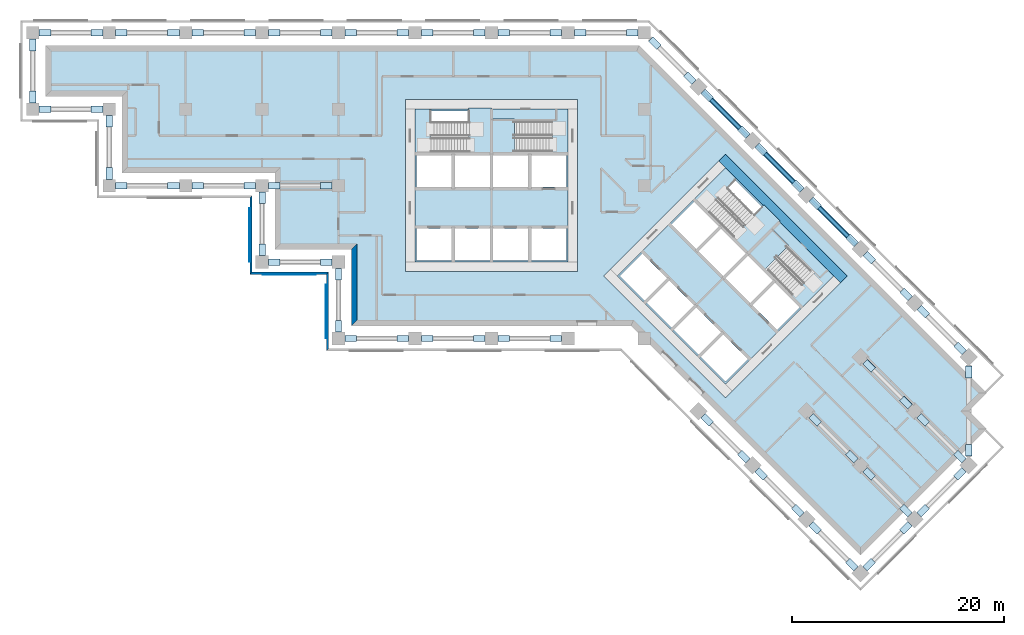
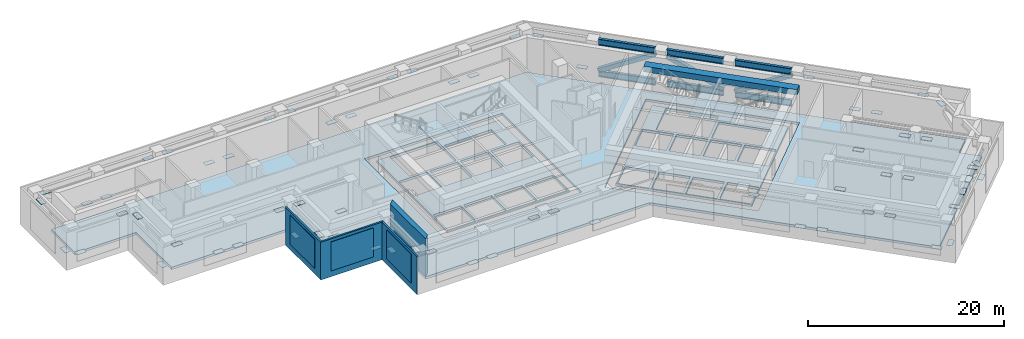
# One storey, part 2 of 8: 75 plates, 9 members, 7 slabs, 4 walls, 1 beam, 22 openings, 4 elements without a shape of their own.
"""IFC4 building model written with IfcOpenShell, lengths in metres."""

from ifc_helpers import new_model, si_unit, direction, frame, origin, origin_2d, place, context, subcontext, project, spatial, polyline, rectangle, hollow_rectangle, i_section, outline, extrude, material, layer, layer_set, material_profile, profile_set, type_object, element, aggregate, save


model = new_model("IFC4")

# Units and contexts
model_context = context("Model", 3, precision=1e-05, world=origin(), true_north=direction((0.0, 1.0)))
body_context = subcontext(model_context, "Body", "Model", "MODEL_VIEW")
ifc_project = project(units=[si_unit("LENGTHUNIT", "METRE"), si_unit("AREAUNIT", "SQUARE_METRE"), si_unit("VOLUMEUNIT", "CUBIC_METRE"), si_unit("PLANEANGLEUNIT", "RADIAN"), si_unit("MASSUNIT", "GRAM", prefix="KILO")], contexts=[model_context])

# Site, building, storey
site_placement = place(None, origin())
site = spatial("IfcSite", under=ifc_project, at=site_placement, CompositionType="ELEMENT")
building_placement = place(site_placement, origin())
building = spatial("IfcBuilding", under=site, at=building_placement, Name="Windrow Commons", CompositionType="ELEMENT")
storey_placement = place(building_placement, frame((0.0, 0.0, 72.0)))
storey = spatial("IfcBuildingStorey", under=building, at=storey_placement, Name="L19", CompositionType="ELEMENT", Elevation=72.0)

# Beam
ifc_material_1 = material(Name="Concrete C60/75", Category="concrete")
ifc_material_profile_1 = material_profile(ifc_material_1, rectangle(XDim=0.9, YDim=0.7, at=origin_2d()))
ifc_profile_set_1 = profile_set([ifc_material_profile_1], Name="Concrete C60/75")
beam_type = type_object("IfcBeamType", Name="RC COUPLING BEAM 900x700 C60/75", PredefinedType="LINTEL", material=ifc_profile_set_1)
beam_placement = place(storey_placement, frame((86.5186, 60.2267, 4.35), z_axis=(0.7071036948, -0.7071098676, 0.0), x_axis=(0.7071098676, 0.7071036948, 0.0)))
element("IfcBeam", 1, at=beam_placement, inside=storey, type_object=beam_type, Name="Core B coupling beam outer-N", PredefinedType="LINTEL", context=body_context, shape_type="SweptSolid", body=[
    extrude(rectangle(XDim=0.9, YDim=0.7, at=origin_2d()), origin(), (0.0, 0.0, 1.0), 16.2),
])

# Members
ifc_material_2 = material(Name="Steel S355", Category="steel")
ifc_material_profile_2 = material_profile(ifc_material_2, i_section(OverallWidth=0.3, OverallDepth=0.8, WebThickness=0.0175, FlangeThickness=0.033, FilletRadius=0.03, at=origin_2d()))
ifc_profile_set_2 = profile_set([ifc_material_profile_2], Name="Steel S355")
member_type_1 = type_object("IfcMemberType", Name="STEEL OUTRIGGER CHORD HE800B S355", PredefinedType="CHORD", material=ifc_profile_set_2)
for number, where, z_axis, x_axis, name in (
    (2, (84.7155, 66.4845, 0.4), (0.7071067812, -0.7071067812, 0.0), (0.7071067812, 0.7071067812, 0.0), "belt00 chord 21 bot"),
    (3, (84.7155, 66.4845, 4.3), (0.7071067812, -0.7071067812, 0.0), (0.7071067812, 0.7071067812, 0.0), "belt00 chord 21 top"),
):
    element("IfcMember", number, at=place(storey_placement, frame(where, z_axis=z_axis, x_axis=x_axis)), inside=storey, type_object=member_type_1, Name=name, PredefinedType="CHORD", context=body_context, shape_type="SweptSolid", body=[
        extrude(i_section(OverallWidth=0.3, OverallDepth=0.8, WebThickness=0.0175, FlangeThickness=0.033, FilletRadius=0.03, at=origin_2d()), origin(), (0.0, 0.0, 1.0), 5.9998),
    ])
for number, where, z_axis, x_axis, name in (
    (4, (89.8066, 61.3934, 0.4), (0.7071067812, -0.7071067812, 0.0), (0.7071067812, 0.7071067812, 0.0), "belt00 chord 22 bot"),
    (5, (89.8066, 61.3934, 4.3), (0.7071067812, -0.7071067812, 0.0), (0.7071067812, 0.7071067812, 0.0), "belt00 chord 22 top"),
    (6, (94.8978, 56.3022, 0.4), (0.7071067812, -0.7071067812, 0.0), (0.7071067812, 0.7071067812, 0.0), "belt00 chord 23 bot"),
    (7, (94.8978, 56.3022, 4.3), (0.7071067812, -0.7071067812, 0.0), (0.7071067812, 0.7071067812, 0.0), "belt00 chord 23 top"),
):
    element("IfcMember", number, at=place(storey_placement, frame(where, z_axis=z_axis, x_axis=x_axis)), inside=storey, type_object=member_type_1, Name=name, PredefinedType="CHORD", context=body_context, shape_type="SweptSolid", body=[
        extrude(i_section(OverallWidth=0.3, OverallDepth=0.8, WebThickness=0.0175, FlangeThickness=0.033, FilletRadius=0.03, at=origin_2d()), origin(), (0.0, 0.0, 1.0), 5.9999),
    ])
ifc_material_3 = material(Name="Steel S355", Category="steel")
ifc_material_profile_3 = material_profile(ifc_material_3, hollow_rectangle(XDim=0.5, YDim=0.5, WallThickness=0.025, at=origin_2d()))
ifc_profile_set_3 = profile_set([ifc_material_profile_3], Name="Steel S355")
member_type_2 = type_object("IfcMemberType", Name="STEEL OUTRIGGER DIAGONAL RHS500x500x25 S355", PredefinedType="BRACE", material=ifc_profile_set_3)
member_placement = place(storey_placement, frame((84.7155, 66.4845, 0.8), z_axis=(0.6282075939, -0.6282075939, 0.4590320663), x_axis=(0.7071067812, 0.7071067812, 0.0)))
element("IfcMember", 8, at=member_placement, inside=storey, type_object=member_type_2, Name="belt00 diagonal 21", PredefinedType="BRACE", context=body_context, shape_type="SweptSolid", body=[
    extrude(hollow_rectangle(XDim=0.5, YDim=0.5, WallThickness=0.025, at=origin_2d()), origin(), (0.0, 0.0, 1.0), 6.7533),
])
for number, where, z_axis, x_axis, name in (
    (9, (89.8066, 61.3934, 3.9), (0.6282107139, -0.6282107139, -0.4590235264), (0.7071067812, 0.7071067812, 0.0), "belt00 diagonal 22"),
    (10, (94.8978, 56.3022, 0.8), (0.6282107139, -0.6282107139, 0.4590235264), (0.7071067812, 0.7071067812, 0.0), "belt00 diagonal 23"),
):
    element("IfcMember", number, at=place(storey_placement, frame(where, z_axis=z_axis, x_axis=x_axis)), inside=storey, type_object=member_type_2, Name=name, PredefinedType="BRACE", context=body_context, shape_type="SweptSolid", body=[
        extrude(hollow_rectangle(XDim=0.5, YDim=0.5, WallThickness=0.025, at=origin_2d()), origin(), (0.0, 0.0, 1.0), 6.7535),
    ])

# Plate
ifc_material_4 = material(Name="Aluminium louvre", Category="aluminium")
ifc_layer_1 = layer(ifc_material_4, 0.05)
ifc_layer_set_1 = layer_set([ifc_layer_1], Name="Belt louvre panel 5000x3600")
plate_type_1 = type_object("IfcPlateType", Name="Belt louvre panel 5000x3600", PredefinedType="SHEET", material=ifc_layer_set_1)
plate_1_placement = place(storey_placement, frame((42.0, 55.45, 0.75), z_axis=(-1.0, 0.0, 0.0), x_axis=(0.0, -1.0, 0.0)))
plate_1 = element("IfcPlate", 11, at=plate_1_placement, type_object=plate_type_1, Name="Belt louvre panel L19 55.1", PredefinedType="SHEET", context=body_context, shape_type="SweptSolid", body=[
    extrude(outline(polyline([(0.0, 0.0), (5.0, 0.0), (5.0, 3.6), (0.0, 3.6), (0.0, 0.0)])), origin(), (0.0, 0.0, -1.0), 0.05),
])

plate_2_placement = place(storey_placement, frame((43.25, 49.2, 0.75), z_axis=(0.0, -1.0, 0.0), x_axis=(1.0, 0.0, 0.0)))
plate_2 = element("IfcPlate", 12, at=plate_2_placement, type_object=plate_type_1, Name="Belt louvre panel L19 59.1", PredefinedType="SHEET", context=body_context, shape_type="SweptSolid", body=[
    extrude(outline(polyline([(0.0, 0.0), (5.0, 0.0), (5.0, 3.6), (0.0, 3.6), (0.0, 0.0)])), origin(), (0.0, 0.0, -1.0), 0.05),
])

plate_3_placement = place(storey_placement, frame((49.2, 48.25, 0.75), z_axis=(-1.0, 0.0, 0.0), x_axis=(0.0, -1.0, 0.0)))
plate_3 = element("IfcPlate", 13, at=plate_3_placement, type_object=plate_type_1, Name="Belt louvre panel L19 63.1", PredefinedType="SHEET", context=body_context, shape_type="SweptSolid", body=[
    extrude(outline(polyline([(0.0, 0.0), (5.0, 0.0), (5.0, 3.6), (0.0, 3.6), (0.0, 0.0)])), origin(), (0.0, 0.0, -1.0), 0.05),
])

# Slab, openings
ifc_material_5 = material(Name="Concrete C60/75", Category="concrete")
ifc_layer_2 = layer(ifc_material_5, 0.3)
ifc_layer_set_2 = layer_set([ifc_layer_2], Name="CORE FLOOR SLAB 300 C60/75")
slab_type_1 = type_object("IfcSlabType", Name="CORE FLOOR SLAB 300 C60/75", PredefinedType="FLOOR", material=ifc_layer_set_2)
placement_1 = place(storey_placement, frame((0.0, 0.0, -0.3)))
slab_1 = element("IfcSlab", 14, at=placement_1, inside=storey, type_object=slab_type_1, Name="S-L19-core-A", PredefinedType="FLOOR", context=body_context, shape_type="SweptSolid", body=[
    extrude(outline(polyline([(57.6, 50.4), (72.0, 50.4), (72.0, 64.8), (57.6, 64.8), (57.6, 50.4)]), holes=[polyline([(57.75, 50.55), (61.05, 50.55), (61.05, 53.55), (57.75, 53.55), (57.75, 50.55)]), polyline([(61.35, 50.55), (64.65, 50.55), (64.65, 53.55), (61.35, 53.55), (61.35, 50.55)]), polyline([(64.95, 50.55), (68.25, 50.55), (68.25, 53.55), (64.95, 53.55), (64.95, 50.55)]), polyline([(68.55, 50.55), (71.85, 50.55), (71.85, 53.55), (68.55, 53.55), (68.55, 50.55)]), polyline([(57.75, 57.45), (61.05, 57.45), (61.05, 60.45), (57.75, 60.45), (57.75, 57.45)]), polyline([(61.35, 57.45), (64.65, 57.45), (64.65, 60.45), (61.35, 60.45), (61.35, 57.45)]), polyline([(64.95, 57.45), (68.25, 57.45), (68.25, 60.45), (64.95, 60.45), (64.95, 57.45)]), polyline([(68.55, 57.45), (71.85, 57.45), (71.85, 60.45), (68.55, 60.45), (68.55, 57.45)]), polyline([(59.1, 60.75), (64.65, 60.75), (64.65, 64.65), (59.1, 64.65), (59.1, 60.75)]), polyline([(64.95, 60.75), (70.5, 60.75), (70.5, 63.705), (64.95, 63.705), (64.95, 60.75)])]), origin(), (0.0, 0.0, 1.0), 0.3),
])
opening_1_placement = place(placement_1, origin())
element("IfcOpeningElement", 15, at=opening_1_placement, cuts=slab_1, Name="Slab opening S-L19-core-A 1", PredefinedType="OPENING", context=body_context, shape_type="SweptSolid", body=[
    extrude(outline(polyline([(57.755, 50.555), (57.755, 53.545), (61.045, 53.545), (61.045, 50.555), (57.755, 50.555)])), origin(), (0.0, 0.0, 1.0), 0.3),
])
opening_2_placement = place(placement_1, origin())
element("IfcOpeningElement", 16, at=opening_2_placement, cuts=slab_1, Name="Slab opening S-L19-core-A 2", PredefinedType="OPENING", context=body_context, shape_type="SweptSolid", body=[
    extrude(outline(polyline([(61.355, 50.555), (61.355, 53.545), (64.645, 53.545), (64.645, 50.555), (61.355, 50.555)])), origin(), (0.0, 0.0, 1.0), 0.3),
])
opening_3_placement = place(placement_1, origin())
element("IfcOpeningElement", 17, at=opening_3_placement, cuts=slab_1, Name="Slab opening S-L19-core-A 3", PredefinedType="OPENING", context=body_context, shape_type="SweptSolid", body=[
    extrude(outline(polyline([(64.955, 50.555), (64.955, 53.545), (68.245, 53.545), (68.245, 50.555), (64.955, 50.555)])), origin(), (0.0, 0.0, 1.0), 0.3),
])
opening_4_placement = place(placement_1, origin())
element("IfcOpeningElement", 18, at=opening_4_placement, cuts=slab_1, Name="Slab opening S-L19-core-A 4", PredefinedType="OPENING", context=body_context, shape_type="SweptSolid", body=[
    extrude(outline(polyline([(68.555, 50.555), (68.555, 53.545), (71.845, 53.545), (71.845, 50.555), (68.555, 50.555)])), origin(), (0.0, 0.0, 1.0), 0.3),
])
opening_5_placement = place(placement_1, origin())
element("IfcOpeningElement", 19, at=opening_5_placement, cuts=slab_1, Name="Slab opening S-L19-core-A 5", PredefinedType="OPENING", context=body_context, shape_type="SweptSolid", body=[
    extrude(outline(polyline([(57.755, 57.455), (57.755, 60.445), (61.045, 60.445), (61.045, 57.455), (57.755, 57.455)])), origin(), (0.0, 0.0, 1.0), 0.3),
])
opening_6_placement = place(placement_1, origin())
element("IfcOpeningElement", 20, at=opening_6_placement, cuts=slab_1, Name="Slab opening S-L19-core-A 6", PredefinedType="OPENING", context=body_context, shape_type="SweptSolid", body=[
    extrude(outline(polyline([(61.355, 57.455), (61.355, 60.445), (64.645, 60.445), (64.645, 57.455), (61.355, 57.455)])), origin(), (0.0, 0.0, 1.0), 0.3),
])
opening_7_placement = place(placement_1, origin())
element("IfcOpeningElement", 21, at=opening_7_placement, cuts=slab_1, Name="Slab opening S-L19-core-A 7", PredefinedType="OPENING", context=body_context, shape_type="SweptSolid", body=[
    extrude(outline(polyline([(64.955, 57.455), (64.955, 60.445), (68.245, 60.445), (68.245, 57.455), (64.955, 57.455)])), origin(), (0.0, 0.0, 1.0), 0.3),
])
opening_8_placement = place(placement_1, origin())
element("IfcOpeningElement", 22, at=opening_8_placement, cuts=slab_1, Name="Slab opening S-L19-core-A 8", PredefinedType="OPENING", context=body_context, shape_type="SweptSolid", body=[
    extrude(outline(polyline([(68.555, 57.455), (68.555, 60.445), (71.845, 60.445), (71.845, 57.455), (68.555, 57.455)])), origin(), (0.0, 0.0, 1.0), 0.3),
])
opening_9_placement = place(placement_1, origin())
element("IfcOpeningElement", 23, at=opening_9_placement, cuts=slab_1, Name="Slab opening S-L19-core-A 9", PredefinedType="OPENING", context=body_context, shape_type="SweptSolid", body=[
    extrude(outline(polyline([(59.105, 60.755), (59.105, 64.645), (64.645, 64.645), (64.645, 60.755), (59.105, 60.755)])), origin(), (0.0, 0.0, 1.0), 0.3),
])
opening_10_placement = place(placement_1, origin())
element("IfcOpeningElement", 24, at=opening_10_placement, cuts=slab_1, Name="Slab opening S-L19-core-A 10", PredefinedType="OPENING", context=body_context, shape_type="SweptSolid", body=[
    extrude(outline(polyline([(64.955, 60.755), (64.955, 63.7), (70.495, 63.7), (70.495, 60.755), (64.955, 60.755)])), origin(), (0.0, 0.0, 1.0), 0.3),
])

slab_2 = element("IfcSlab", 25, at=placement_1, inside=storey, type_object=slab_type_1, Name="S-L19-core-B", PredefinedType="FLOOR", context=body_context, shape_type="SweptSolid", body=[
    extrude(outline(polyline([(76.6544, 49.0897), (86.8368, 38.9074), (97.0191, 49.0897), (86.8368, 59.2721), (76.6544, 49.0897)]), holes=[polyline([(76.8665, 49.0897), (79.2, 46.7563), (81.3213, 48.8776), (78.9879, 51.2111), (76.8665, 49.0897)]), polyline([(79.4121, 46.5442), (81.7456, 44.2107), (83.8669, 46.332), (81.5335, 48.6655), (79.4121, 46.5442)]), polyline([(81.9577, 43.9986), (84.2912, 41.6651), (86.4125, 43.7864), (84.079, 46.1199), (81.9577, 43.9986)]), polyline([(84.5033, 41.453), (86.8368, 39.1195), (88.9581, 41.2409), (86.6246, 43.5743), (84.5033, 41.453)]), polyline([(81.7456, 53.9688), (84.079, 51.6353), (86.2004, 53.7566), (83.8669, 56.0901), (81.7456, 53.9688)]), polyline([(84.2912, 51.4232), (86.6246, 49.0897), (88.7459, 51.2111), (86.4125, 53.5445), (84.2912, 51.4232)]), polyline([(86.8368, 48.8776), (89.1702, 46.5442), (91.2915, 48.6655), (88.9581, 50.9989), (86.8368, 48.8776)]), polyline([(89.3823, 46.332), (91.7158, 43.9986), (93.8371, 46.1199), (91.5037, 48.4533), (89.3823, 46.332)]), polyline([(85.0336, 55.3476), (88.9581, 51.4232), (91.7158, 54.1809), (87.7913, 58.1054), (85.0336, 55.3476)]), polyline([(89.1702, 51.2111), (93.0946, 47.2866), (95.1841, 49.3761), (91.2597, 53.3006), (89.1702, 51.2111)])]), origin(), (0.0, 0.0, 1.0), 0.3),
])
opening_11_placement = place(placement_1, origin())
element("IfcOpeningElement", 26, at=opening_11_placement, cuts=slab_2, Name="Slab opening S-L19-core-B 1", PredefinedType="OPENING", context=body_context, shape_type="SweptSolid", body=[
    extrude(outline(polyline([(76.8736, 49.0897), (78.9879, 51.204), (81.3142, 48.8776), (79.2, 46.7634), (76.8736, 49.0897)])), origin(), (0.0, 0.0, 1.0), 0.3),
])
opening_12_placement = place(placement_1, origin())
element("IfcOpeningElement", 27, at=opening_12_placement, cuts=slab_2, Name="Slab opening S-L19-core-B 2", PredefinedType="OPENING", context=body_context, shape_type="SweptSolid", body=[
    extrude(outline(polyline([(79.4192, 46.5442), (81.5335, 48.6584), (83.8598, 46.332), (81.7456, 44.2178), (79.4192, 46.5442)])), origin(), (0.0, 0.0, 1.0), 0.3),
])
opening_13_placement = place(placement_1, origin())
element("IfcOpeningElement", 28, at=opening_13_placement, cuts=slab_2, Name="Slab opening S-L19-core-B 3", PredefinedType="OPENING", context=body_context, shape_type="SweptSolid", body=[
    extrude(outline(polyline([(81.9648, 43.9986), (84.079, 46.1128), (86.4054, 43.7864), (84.2912, 41.6722), (81.9648, 43.9986)])), origin(), (0.0, 0.0, 1.0), 0.3),
])
opening_14_placement = place(placement_1, origin())
element("IfcOpeningElement", 29, at=opening_14_placement, cuts=slab_2, Name="Slab opening S-L19-core-B 4", PredefinedType="OPENING", context=body_context, shape_type="SweptSolid", body=[
    extrude(outline(polyline([(84.5104, 41.453), (86.6246, 43.5672), (88.951, 41.2409), (86.8368, 39.1266), (84.5104, 41.453)])), origin(), (0.0, 0.0, 1.0), 0.3),
])
opening_15_placement = place(placement_1, origin())
element("IfcOpeningElement", 30, at=opening_15_placement, cuts=slab_2, Name="Slab opening S-L19-core-B 5", PredefinedType="OPENING", context=body_context, shape_type="SweptSolid", body=[
    extrude(outline(polyline([(81.7527, 53.9688), (83.8669, 56.083), (86.1933, 53.7566), (84.079, 51.6424), (81.7527, 53.9688)])), origin(), (0.0, 0.0, 1.0), 0.3),
])
opening_16_placement = place(placement_1, origin())
element("IfcOpeningElement", 31, at=opening_16_placement, cuts=slab_2, Name="Slab opening S-L19-core-B 6", PredefinedType="OPENING", context=body_context, shape_type="SweptSolid", body=[
    extrude(outline(polyline([(84.2983, 51.4232), (86.4125, 53.5374), (88.7388, 51.2111), (86.6246, 49.0968), (84.2983, 51.4232)])), origin(), (0.0, 0.0, 1.0), 0.3),
])
opening_17_placement = place(placement_1, origin())
element("IfcOpeningElement", 32, at=opening_17_placement, cuts=slab_2, Name="Slab opening S-L19-core-B 7", PredefinedType="OPENING", context=body_context, shape_type="SweptSolid", body=[
    extrude(outline(polyline([(86.8439, 48.8776), (88.9581, 50.9918), (91.2844, 48.6655), (89.1702, 46.5513), (86.8439, 48.8776)])), origin(), (0.0, 0.0, 1.0), 0.3),
])
opening_18_placement = place(placement_1, origin())
element("IfcOpeningElement", 33, at=opening_18_placement, cuts=slab_2, Name="Slab opening S-L19-core-B 8", PredefinedType="OPENING", context=body_context, shape_type="SweptSolid", body=[
    extrude(outline(polyline([(89.3894, 46.332), (91.5037, 48.4462), (93.83, 46.1199), (91.7158, 44.0057), (89.3894, 46.332)])), origin(), (0.0, 0.0, 1.0), 0.3),
])
opening_19_placement = place(placement_1, origin())
element("IfcOpeningElement", 34, at=opening_19_placement, cuts=slab_2, Name="Slab opening S-L19-core-B 9", PredefinedType="OPENING", context=body_context, shape_type="SweptSolid", body=[
    extrude(outline(polyline([(85.0407, 55.3476), (87.7913, 58.0983), (91.7087, 54.1809), (88.9581, 51.4303), (85.0407, 55.3476)])), origin(), (0.0, 0.0, 1.0), 0.3),
])
opening_20_placement = place(placement_1, origin())
element("IfcOpeningElement", 35, at=opening_20_placement, cuts=slab_2, Name="Slab opening S-L19-core-B 10", PredefinedType="OPENING", context=body_context, shape_type="SweptSolid", body=[
    extrude(outline(polyline([(89.1773, 51.2111), (91.2597, 53.2935), (95.177, 49.3761), (93.0946, 47.2937), (89.1773, 51.2111)])), origin(), (0.0, 0.0, 1.0), 0.3),
])

# Stair, slab
ifc_material_6 = material(Name="Concrete C40/50", Category="concrete")
stair_type = type_object("IfcStairType", Name="Core stair", PredefinedType="HALF_TURN_STAIR", material=ifc_material_6)
placement_2 = place(storey_placement, origin())
stair_1 = element("IfcStair", 36, at=placement_2, inside=storey, type_object=stair_type, Name="L19 Exit stair A1 core A", PredefinedType="HALF_TURN_STAIR")
ifc_material_7 = material(Name="Concrete C40/50", Category="concrete")
ifc_layer_3 = layer(ifc_material_7, 0.2)
ifc_layer_set_3 = layer_set([ifc_layer_3], Name="Core stair landing")
slab_type_2 = type_object("IfcSlabType", Name="Core stair landing", PredefinedType="LANDING", material=ifc_layer_set_3)
placement_3 = place(storey_placement, frame((0.0, 0.0, 2.3)))
slab_3 = element("IfcSlab", 37, at=placement_3, type_object=slab_type_2, Name="ST-A1 landing 1", PredefinedType="LANDING", context=body_context, shape_type="SweptSolid", body=[
    extrude(outline(polyline([(62.62, 60.5), (64.8, 60.5), (64.8, 64.9), (62.62, 64.9), (62.62, 60.5)])), origin(), (0.0, 0.0, 1.0), 0.2),
])
aggregate(stair_1, [slab_3])

stair_2 = element("IfcStair", 38, at=placement_2, inside=storey, type_object=stair_type, Name="L19 Exit stair A2 core A", PredefinedType="HALF_TURN_STAIR")
slab_4 = element("IfcSlab", 39, at=placement_3, type_object=slab_type_2, Name="ST-A2 landing 1", PredefinedType="LANDING", context=body_context, shape_type="SweptSolid", body=[
    extrude(outline(polyline([(64.8, 60.5), (66.98, 60.5), (66.98, 63.855), (64.8, 63.855), (64.8, 60.5)])), origin(), (0.0, 0.0, 1.0), 0.2),
])
aggregate(stair_2, [slab_4])

stair_3 = element("IfcStair", 40, at=placement_2, inside=storey, type_object=stair_type, Name="L19 Exit stair B1 core B", PredefinedType="HALF_TURN_STAIR")
slab_5 = element("IfcSlab", 41, at=placement_3, type_object=slab_type_2, Name="ST-B1 landing 1", PredefinedType="LANDING", context=body_context, shape_type="SweptSolid", body=[
    extrude(outline(polyline([(87.3459, 52.6819), (88.8874, 51.1403), (91.9986, 54.2516), (90.4571, 55.7931), (87.3459, 52.6819)])), origin(), (0.0, 0.0, 1.0), 0.2),
])
aggregate(stair_3, [slab_5])

stair_4 = element("IfcStair", 42, at=placement_2, inside=storey, type_object=stair_type, Name="L19 Exit stair B2 core B", PredefinedType="HALF_TURN_STAIR")
slab_6 = element("IfcSlab", 43, at=placement_3, type_object=slab_type_2, Name="ST-B2 landing 1", PredefinedType="LANDING", context=body_context, shape_type="SweptSolid", body=[
    extrude(outline(polyline([(88.8874, 51.1403), (90.4289, 49.5989), (92.8012, 51.9712), (91.2597, 53.5127), (88.8874, 51.1403)])), origin(), (0.0, 0.0, 1.0), 0.2),
])
aggregate(stair_4, [slab_6])

# Slab, openings
ifc_material_8 = material(Name="Concrete C60/75", Category="concrete")
ifc_layer_4 = layer(ifc_material_8, 0.3)
ifc_layer_set_4 = layer_set([ifc_layer_4], Name="FLOOR SLAB 300 C60/75")
slab_type_3 = type_object("IfcSlabType", Name="FLOOR SLAB 300 C60/75", PredefinedType="FLOOR", material=ifc_layer_set_4)
slab_7 = element("IfcSlab", 44, at=placement_1, inside=storey, type_object=slab_type_3, Name="S-L19-floor", PredefinedType="FLOOR", context=body_context, shape_type="SweptSolid", body=[
    extrude(outline(polyline([(99.5647, 22.7854), (111.4441, 34.6648), (109.747, 36.3618), (111.4441, 38.0589), (78.7029, 70.8), (22.8, 70.8), (22.8, 66.0), (30.0, 66.0), (30.0, 58.8), (44.4, 58.8), (44.4, 51.6), (51.6, 51.6), (51.6, 44.4), (77.95, 44.4), (99.5647, 22.7854)]), holes=[polyline([(75.3816, 49.0897), (86.8368, 60.5449), (98.2919, 49.0897), (86.8368, 37.6346), (75.3816, 49.0897)]), polyline([(56.7, 49.5), (56.7, 65.7), (72.9, 65.7), (72.9, 49.5), (56.7, 49.5)])]), origin(), (0.0, 0.0, 1.0), 0.3),
])
opening_21_placement = place(placement_1, origin())
element("IfcOpeningElement", 45, at=opening_21_placement, cuts=slab_7, Name="Slab opening S-L19-floor 1", PredefinedType="OPENING", context=body_context, shape_type="SweptSolid", body=[
    extrude(outline(polyline([(75.3887, 49.0897), (86.8368, 60.5378), (98.2848, 49.0897), (86.8368, 37.6417), (75.3887, 49.0897)])), origin(), (0.0, 0.0, 1.0), 0.3),
])
opening_22_placement = place(placement_1, origin())
element("IfcOpeningElement", 46, at=opening_22_placement, cuts=slab_7, Name="Slab opening S-L19-floor 2", PredefinedType="OPENING", context=body_context, shape_type="SweptSolid", body=[
    extrude(outline(polyline([(56.705, 49.505), (56.705, 65.695), (72.895, 65.695), (72.895, 49.505), (56.705, 49.505)])), origin(), (0.0, 0.0, 1.0), 0.3),
])

# Plates
ifc_material_9 = material(Name="Steel S355", Category="steel")
ifc_layer_5 = layer(ifc_material_9, 0.03)
ifc_layer_set_5 = layer_set([ifc_layer_5], Name="GUSSET PLATE 30 S355")
plate_type_2 = type_object("IfcPlateType", Name="GUSSET PLATE 30 S355", PredefinedType="USERDEFINED", material=ifc_layer_set_5)
for number, where, z_axis, x_axis, name in (
    (47, (70.85, 43.2, 0.8), (0.0, 0.0, 1.0), (-1.0, 0.0, 0.0), "Gusset plate L19 belt00 1"),
    (48, (65.95, 43.2, 3.87), (0.0, 0.0, 1.0), (-1.0, 0.0, 0.0), "Gusset plate L19 belt00 2"),
    (49, (63.65, 43.2, 3.87), (0.0, 0.0, 1.0), (-1.0, 0.0, 0.0), "Gusset plate L19 belt00 3"),
    (50, (58.75, 43.2, 0.8), (0.0, 0.0, 1.0), (-1.0, 0.0, 0.0), "Gusset plate L19 belt00 4"),
    (51, (56.45, 43.2, 0.8), (0.0, 0.0, 1.0), (-1.0, 0.0, 0.0), "Gusset plate L19 belt00 5"),
    (52, (51.55, 43.2, 3.87), (0.0, 0.0, 1.0), (-1.0, 0.0, 0.0), "Gusset plate L19 belt00 6"),
    (53, (50.4, 44.35, 3.87), (0.0, 0.0, 1.0), (0.0, 1.0, 0.0), "Gusset plate L19 belt00 7"),
    (54, (50.4, 49.25, 0.8), (0.0, 0.0, 1.0), (0.0, 1.0, 0.0), "Gusset plate L19 belt00 8"),
    (55, (49.25, 50.4, 0.8), (0.0, 0.0, 1.0), (-1.0, 0.0, 0.0), "Gusset plate L19 belt00 9"),
    (56, (44.35, 50.4, 3.87), (0.0, 0.0, 1.0), (-1.0, 0.0, 0.0), "Gusset plate L19 belt00 10"),
    (57, (43.2, 51.55, 3.87), (0.0, 0.0, 1.0), (0.0, 1.0, 0.0), "Gusset plate L19 belt00 11"),
    (58, (43.2, 56.45, 0.8), (0.0, 0.0, 1.0), (0.0, 1.0, 0.0), "Gusset plate L19 belt00 12"),
    (59, (28.8, 58.75, 0.8), (0.0, 0.0, 1.0), (0.0, 1.0, 0.0), "Gusset plate L19 belt00 13"),
    (60, (28.8, 63.65, 3.87), (0.0, 0.0, 1.0), (0.0, 1.0, 0.0), "Gusset plate L19 belt00 14"),
    (61, (27.65, 64.8, 3.87), (0.0, 0.0, 1.0), (-1.0, 0.0, 0.0), "Gusset plate L19 belt00 15"),
    (62, (22.75, 64.8, 0.8), (0.0, 0.0, 1.0), (-1.0, 0.0, 0.0), "Gusset plate L19 belt00 16"),
    (63, (21.6, 65.95, 0.8), (0.0, 0.0, 1.0), (0.0, 1.0, 0.0), "Gusset plate L19 belt00 17"),
    (64, (21.6, 70.85, 3.87), (0.0, 0.0, 1.0), (0.0, 1.0, 0.0), "Gusset plate L19 belt00 18"),
    (65, (22.75, 72.0, 3.87), (0.0, 0.0, 1.0), (1.0, 0.0, 0.0), "Gusset plate L19 belt00 19"),
    (66, (27.65, 72.0, 0.8), (0.0, 0.0, 1.0), (1.0, 0.0, 0.0), "Gusset plate L19 belt00 20"),
    (67, (29.95, 72.0, 0.8), (0.0, 0.0, 1.0), (1.0, 0.0, 0.0), "Gusset plate L19 belt00 21"),
    (68, (34.85, 72.0, 3.87), (0.0, 0.0, 1.0), (1.0, 0.0, 0.0), "Gusset plate L19 belt00 22"),
    (69, (37.15, 72.0, 3.87), (0.0, 0.0, 1.0), (1.0, 0.0, 0.0), "Gusset plate L19 belt00 23"),
    (70, (42.05, 72.0, 0.8), (0.0, 0.0, 1.0), (1.0, 0.0, 0.0), "Gusset plate L19 belt00 24"),
    (71, (44.35, 72.0, 0.8), (0.0, 0.0, 1.0), (1.0, 0.0, 0.0), "Gusset plate L19 belt00 25"),
    (72, (49.25, 72.0, 3.87), (0.0, 0.0, 1.0), (1.0, 0.0, 0.0), "Gusset plate L19 belt00 26"),
    (73, (51.55, 72.0, 3.87), (0.0, 0.0, 1.0), (1.0, 0.0, 0.0), "Gusset plate L19 belt00 27"),
    (74, (56.45, 72.0, 0.8), (0.0, 0.0, 1.0), (1.0, 0.0, 0.0), "Gusset plate L19 belt00 28"),
    (75, (58.75, 72.0, 0.8), (0.0, 0.0, 1.0), (1.0, 0.0, 0.0), "Gusset plate L19 belt00 29"),
    (76, (63.65, 72.0, 3.87), (0.0, 0.0, 1.0), (1.0, 0.0, 0.0), "Gusset plate L19 belt00 30"),
    (77, (65.95, 72.0, 3.87), (0.0, 0.0, 1.0), (1.0, 0.0, 0.0), "Gusset plate L19 belt00 31"),
    (78, (70.85, 72.0, 0.8), (0.0, 0.0, 1.0), (1.0, 0.0, 0.0), "Gusset plate L19 belt00 32"),
    (79, (73.15, 72.0, 0.8), (0.0, 0.0, 1.0), (1.0, 0.0, 0.0), "Gusset plate L19 belt00 33"),
    (80, (78.05, 72.0, 3.87), (0.0, 0.0, 1.0), (1.0, 0.0, 0.0), "Gusset plate L19 belt00 34"),
    (81, (80.1889, 71.0111, 3.87), (0.0, 0.0, 1.0), (0.7071067812, -0.7071067812, 0.0), "Gusset plate L19 belt00 35"),
    (82, (83.478, 67.722, 0.8), (0.0, 0.0, 1.0), (0.7071067812, -0.7071067812, 0.0), "Gusset plate L19 belt00 36"),
    (83, (85.1044, 66.0956, 0.8), (0.0, 0.0, 1.0), (0.7071067812, -0.7071067812, 0.0), "Gusset plate L19 belt00 37"),
    (84, (88.5691, 62.6309, 3.87), (0.0, 0.0, 1.0), (0.7071067812, -0.7071067812, 0.0), "Gusset plate L19 belt00 38"),
    (85, (90.1955, 61.0045, 3.87), (0.0, 0.0, 1.0), (0.7071067812, -0.7071067812, 0.0), "Gusset plate L19 belt00 39"),
    (86, (93.6603, 57.5397, 0.8), (0.0, 0.0, 1.0), (0.7071067812, -0.7071067812, 0.0), "Gusset plate L19 belt00 40"),
    (87, (95.2867, 55.9133, 0.8), (0.0, 0.0, 1.0), (0.7071067812, -0.7071067812, 0.0), "Gusset plate L19 belt00 41"),
    (88, (98.7515, 52.4485, 3.87), (0.0, 0.0, 1.0), (0.7071067812, -0.7071067812, 0.0), "Gusset plate L19 belt00 42"),
    (89, (100.3779, 50.8221, 3.87), (0.0, 0.0, 1.0), (0.7071067812, -0.7071067812, 0.0), "Gusset plate L19 belt00 43"),
    (90, (103.8426, 47.3574, 0.8), (0.0, 0.0, 1.0), (0.7071067812, -0.7071067812, 0.0), "Gusset plate L19 belt00 44"),
    (91, (105.469, 45.731, 0.8), (0.0, 0.0, 1.0), (0.7071067812, -0.7071067812, 0.0), "Gusset plate L19 belt00 45"),
    (92, (108.9338, 42.2662, 3.87), (0.0, 0.0, 1.0), (0.7071067812, -0.7071067812, 0.0), "Gusset plate L19 belt00 46"),
    (93, (109.747, 40.0545, 3.87), (0.0, 0.0, 1.0), (0.0, -1.0, 0.0), "Gusset plate L19 belt00 47"),
    (94, (109.747, 32.6691, 0.8), (0.0, 0.0, 1.0), (0.0, -1.0, 0.0), "Gusset plate L19 belt00 48"),
    (95, (108.9338, 30.4574, 0.8), (0.0, 0.0, 1.0), (-0.707114186, -0.7070993763, 0.0), "Gusset plate L19 belt00 49"),
    (96, (105.469, 26.9927, 3.87), (0.0, 0.0, 1.0), (-0.707114186, -0.7070993763, 0.0), "Gusset plate L19 belt00 50"),
    (97, (103.8426, 25.3663, 3.87), (0.0, 0.0, 1.0), (-0.7070993763, -0.707114186, 0.0), "Gusset plate L19 belt00 51"),
    (98, (100.3779, 21.9015, 0.8), (0.0, 0.0, 1.0), (-0.7070993763, -0.707114186, 0.0), "Gusset plate L19 belt00 52"),
    (99, (98.7515, 21.9015, 0.8), (0.0, 0.0, 1.0), (-0.7071067812, 0.7071067812, 0.0), "Gusset plate L19 belt00 53"),
    (100, (95.2867, 25.3663, 3.87), (0.0, 0.0, 1.0), (-0.7071067812, 0.7071067812, 0.0), "Gusset plate L19 belt00 54"),
    (101, (93.6603, 26.9927, 3.87), (0.0, 0.0, 1.0), (-0.707114186, 0.7070993763, 0.0), "Gusset plate L19 belt00 55"),
    (102, (90.1955, 30.4574, 0.8), (0.0, 0.0, 1.0), (-0.707114186, 0.7070993763, 0.0), "Gusset plate L19 belt00 56"),
    (103, (88.5691, 32.0838, 0.8), (0.0, 0.0, 1.0), (-0.7070993763, 0.707114186, 0.0), "Gusset plate L19 belt00 57"),
    (104, (85.1044, 35.5486, 3.87), (0.0, 0.0, 1.0), (-0.7070993763, 0.707114186, 0.0), "Gusset plate L19 belt00 58"),
    (105, (49.25, 57.6, 1.0), (0.0, 0.0, 1.0), (-1.0, 0.0, 0.0), "Gusset plate L19 outA-W 1"),
    (106, (44.35, 57.6, 3.67), (0.0, 0.0, 1.0), (-1.0, 0.0, 0.0), "Gusset plate L19 outA-W 2"),
    (107, (42.05, 57.6, 3.67), (0.0, 0.0, 1.0), (-1.0, 0.0, 0.0), "Gusset plate L19 outA-W 3"),
    (108, (37.15, 57.6, 1.0), (0.0, 0.0, 1.0), (-1.0, 0.0, 0.0), "Gusset plate L19 outA-W 4"),
    (109, (34.85, 57.6, 1.0), (0.0, 0.0, 1.0), (-1.0, 0.0, 0.0), "Gusset plate L19 outA-W 5"),
    (110, (29.95, 57.6, 3.67), (0.0, 0.0, 1.0), (-1.0, 0.0, 0.0), "Gusset plate L19 outA-W 6"),
    (111, (100.3779, 40.6398, 1.0), (0.0, 0.0, 1.0), (0.7070993763, -0.707114186, 0.0), "Gusset plate L19 outB-1 1"),
    (112, (103.8426, 37.175, 3.67), (0.0, 0.0, 1.0), (0.7070993763, -0.707114186, 0.0), "Gusset plate L19 outB-1 2"),
    (113, (105.469, 35.5486, 3.67), (0.0, 0.0, 1.0), (0.7071067812, -0.7071067812, 0.0), "Gusset plate L19 outB-1 3"),
    (114, (108.9338, 32.0838, 1.0), (0.0, 0.0, 1.0), (0.7071067812, -0.7071067812, 0.0), "Gusset plate L19 outB-1 4"),
    (115, (95.2867, 35.5486, 1.0), (0.0, 0.0, 1.0), (0.7071067812, -0.7071067812, 0.0), "Gusset plate L19 outB-2 1"),
    (116, (98.7515, 32.0838, 3.67), (0.0, 0.0, 1.0), (0.7071067812, -0.7071067812, 0.0), "Gusset plate L19 outB-2 2"),
    (117, (100.3779, 30.4574, 3.67), (0.0, 0.0, 1.0), (0.7071067812, -0.7071067812, 0.0), "Gusset plate L19 outB-2 3"),
    (118, (103.8426, 26.9927, 1.0), (0.0, 0.0, 1.0), (0.7071067812, -0.7071067812, 0.0), "Gusset plate L19 outB-2 4"),
):
    element("IfcPlate", number, at=place(storey_placement, frame(where, z_axis=z_axis, x_axis=x_axis)), inside=storey, type_object=plate_type_2, Name=name, ObjectType="GUSSET PLATE", PredefinedType="USERDEFINED", context=body_context, shape_type="SweptSolid", body=[
        extrude(rectangle(XDim=1.1, YDim=0.6, at=origin_2d()), origin(), (0.0, 0.0, 1.0), 0.03),
    ])

# Wall
ifc_material_10 = material(Name="Concrete C40/50 precast screen panel", Category="concrete")
ifc_layer_6 = layer(ifc_material_10, 0.2)
ifc_layer_set_6 = layer_set([ifc_layer_6], Name="Belt screen wall 200")
wall_type_1 = type_object("IfcWallType", Name="Belt screen wall 200", PredefinedType="SOLIDWALL", material=ifc_layer_set_6)
wall_1_placement = place(storey_placement, frame((42.15, 56.55, 0.0), z_axis=(0.0, 0.0, 1.0), x_axis=(0.0, -1.0, 0.0)))
wall_1 = element("IfcWall", 119, at=wall_1_placement, inside=storey, type_object=wall_type_1, Name="Belt screen wall L19 55", PredefinedType="SOLIDWALL", context=body_context, shape_type="SweptSolid", body=[
    extrude(outline(polyline([(0.1, -0.1), (7.3, -0.1), (7.1, 0.1), (-0.1, 0.1), (0.1, -0.1)])), origin(), (0.0, 0.0, 1.0), 4.7),
])

aggregate(wall_1, [plate_1])

wall_2_placement = place(storey_placement, frame((42.15, 49.35, 0.0), z_axis=(0.0, 0.0, 1.0), x_axis=(1.0, 0.0, 0.0)))
wall_2 = element("IfcWall", 120, at=wall_2_placement, inside=storey, type_object=wall_type_1, Name="Belt screen wall L19 59", PredefinedType="SOLIDWALL", context=body_context, shape_type="SweptSolid", body=[
    extrude(outline(polyline([(-0.1, -0.1), (7.1, -0.1), (7.3, 0.1), (0.1, 0.1), (-0.1, -0.1)])), origin(), (0.0, 0.0, 1.0), 4.7),
])

aggregate(wall_2, [plate_2])

wall_3_placement = place(storey_placement, frame((49.35, 49.35, 0.0), z_axis=(0.0, 0.0, 1.0), x_axis=(0.0, -1.0, 0.0)))
wall_3 = element("IfcWall", 121, at=wall_3_placement, inside=storey, type_object=wall_type_1, Name="Belt screen wall L19 63", PredefinedType="SOLIDWALL", context=body_context, shape_type="SweptSolid", body=[
    extrude(outline(polyline([(0.1, -0.1), (7.3, -0.1), (7.1, 0.1), (-0.1, 0.1), (0.1, -0.1)])), origin(), (0.0, 0.0, 1.0), 4.7),
])

aggregate(wall_3, [plate_3])

ifc_material_11 = material(Name="Brick masonry, red clay brick", Category="masonry")
ifc_layer_7 = layer(ifc_material_11, 0.55)
ifc_layer_set_7 = layer_set([ifc_layer_7], Name="Brick facade wall 550")
wall_type_2 = type_object("IfcWallType", Name="Brick facade wall 550", PredefinedType="SOLIDWALL", material=ifc_layer_set_7)
wall_4_placement = place(storey_placement, frame((51.875, 51.875, 0.0), z_axis=(0.0, 0.0, 1.0), x_axis=(0.0, -1.0, 0.0)))
element("IfcWall", 122, at=wall_4_placement, inside=storey, type_object=wall_type_2, Name="Brick facade wall L19 11", PredefinedType="SOLIDWALL", context=body_context, shape_type="SweptSolid", body=[
    extrude(outline(polyline([(0.275, -0.275), (7.475, -0.275), (6.925, 0.275), (-0.275, 0.275), (0.275, -0.275)])), origin(), (0.0, 0.0, 1.0), 4.7),
])

save(model, "model.ifc")
